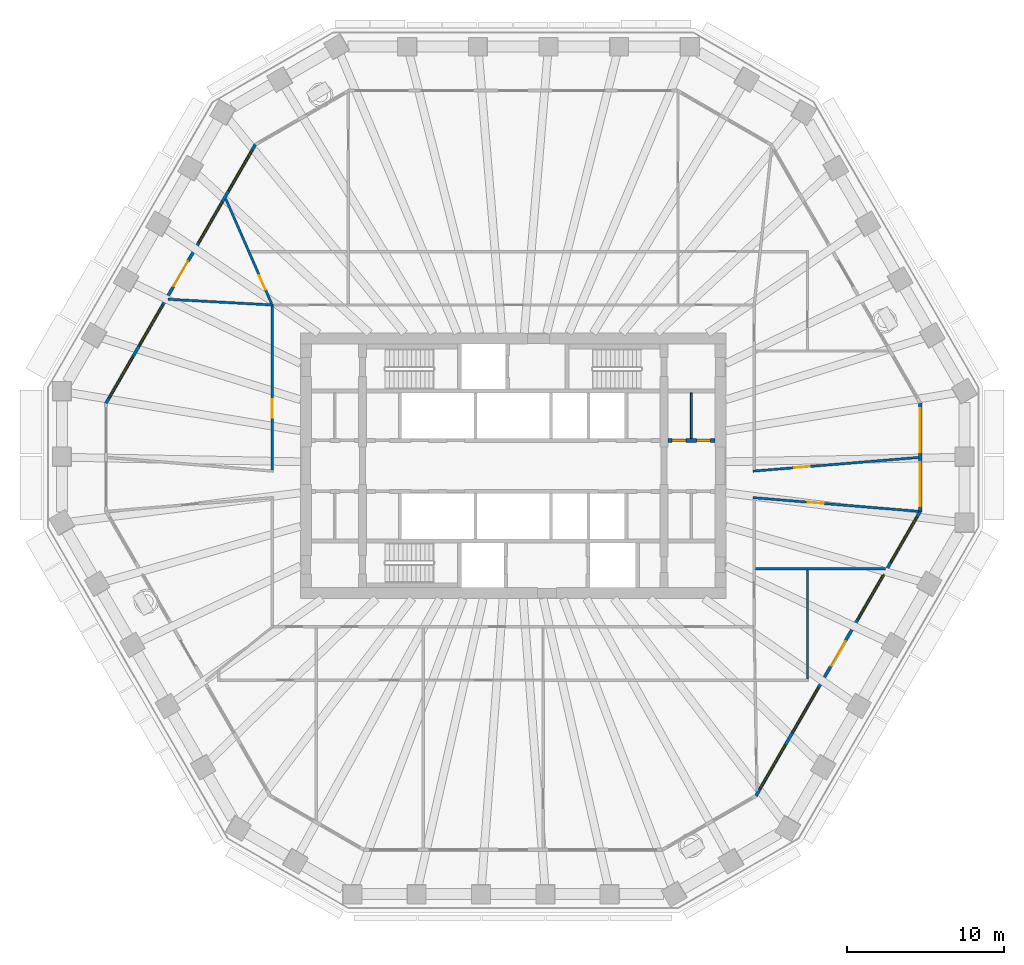
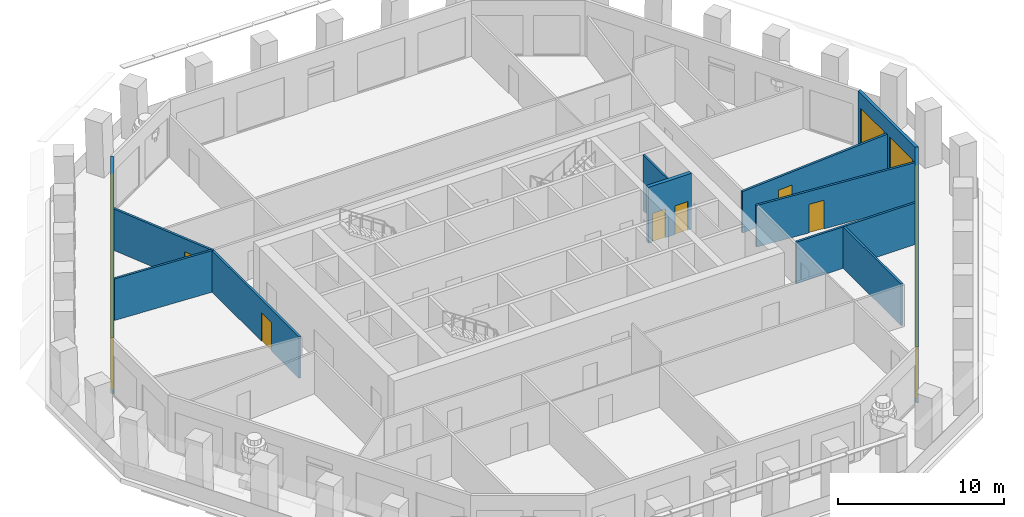
# One storey, part 6 of 12: 12 walls, 12 windows, 8 doors, 20 openings.
"""IFC4 building model written with IfcOpenShell, lengths in metres."""

from ifc_helpers import new_model, si_unit, direction, frame, frame_2d, origin, place, context, subcontext, project, spatial, polyline, rectangle, outline, extrude, material, layer, layer_set, type_object, element, fill, save


model = new_model("IFC4")

# Units and contexts
model_context = context("Model", 3, precision=1e-05, world=origin(), true_north=direction((0.0, 1.0)))
body_context = subcontext(model_context, "Body", "Model", "MODEL_VIEW")
ifc_project = project(units=[si_unit("LENGTHUNIT", "METRE"), si_unit("AREAUNIT", "SQUARE_METRE"), si_unit("VOLUMEUNIT", "CUBIC_METRE"), si_unit("PLANEANGLEUNIT", "RADIAN"), si_unit("MASSUNIT", "GRAM", prefix="KILO")], contexts=[model_context])

# Site, building, storey
site_placement = place(None, origin())
site = spatial("IfcSite", under=ifc_project, at=site_placement, CompositionType="ELEMENT")
building_placement = place(site_placement, origin())
building = spatial("IfcBuilding", under=site, at=building_placement, Name="Frailejon Research Tower", CompositionType="ELEMENT")
storey_placement = place(building_placement, frame((0.0, 0.0, 162.800048828125)))
storey = spatial("IfcBuildingStorey", under=building, at=storey_placement, Name="L35", CompositionType="ELEMENT", Elevation=162.800048828125)

# Wall
ifc_material_1 = material(Name="Plasterboard on steel studs", Category="steel")
ifc_layer_1 = layer(ifc_material_1, 0.125)
ifc_layer_set_1 = layer_set([ifc_layer_1], Name="Core partition 125")
wall_type_1 = type_object("IfcWallType", Name="Core partition 125", PredefinedType="PARTITIONING", material=ifc_layer_set_1)
wall_1_placement = place(storey_placement, frame((11.35009765625, 1.75, 0.0), z_axis=(0.0, 0.0, 1.0), x_axis=(0.0, 1.0, 0.0)))
element("IfcWall", 1, at=wall_1_placement, inside=storey, type_object=wall_type_1, Name="Core partition", PredefinedType="PARTITIONING", context=body_context, shape_type="SweptSolid", body=[
    extrude(rectangle(XDim=2.89990234375, YDim=0.125, at=frame_2d((1.449951171875, 0.0))), origin(), (0.0, 0.0, 1.0), 4.099853515625),
])

# Wall, opening, door
ifc_material_2 = material(Name="Gypsum board and masonry partition", Category="masonry")
ifc_layer_2 = layer(ifc_material_2, 0.14990234375)
ifc_layer_set_2 = layer_set([ifc_layer_2], Name="Corridor wall EI 60, gypsum on steel studs 150")
wall_type_2 = type_object("IfcWallType", Name="Corridor wall EI 60, gypsum on steel studs 150", PredefinedType="PARTITIONING", material=ifc_layer_set_2)
wall_2_placement = place(storey_placement, frame((-15.35009765625, -0.25390625, 0.0), z_axis=(0.0, 0.0, 1.0), x_axis=(0.0, 1.0, 0.0)))
wall_2 = element("IfcWall", 2, at=wall_2_placement, inside=storey, type_object=wall_type_2, Name="T:IW:L35:005", PredefinedType="PARTITIONING", context=body_context, shape_type="SweptSolid", body=[
    extrude(rectangle(XDim=10.428955078125, YDim=0.14990234375, at=frame_2d((5.21435546875, 0.0))), origin(), (0.0, 0.0, 1.0), 3.050048828125),
])
opening_1_placement = place(wall_2_placement, frame((3.3125, 0.0, 0.0)))
opening_1 = element("IfcOpeningElement", 3, at=opening_1_placement, cuts=wall_2, Name="Opening D1767", PredefinedType="OPENING", context=body_context, shape_type="SweptSolid", body=[
    extrude(rectangle(XDim=1.199951171875, YDim=2.10009765625, at=frame_2d((0.60009765625, 1.050048828125))), frame((0.0, 0.0849609375, 0.0), z_axis=(0.0, -1.0, 0.0), x_axis=(1.0, 0.0, 0.0)), (0.0, 0.0, 1.0), 0.169921875),
])
ifc_material_3 = material(Name="Timber door leaf", Category="wood")
door_type_1 = type_object("IfcDoorType", Name="Door laboratory, timber, vision panel 1200", OperationType="NOTDEFINED", PredefinedType="DOOR", material=ifc_material_3)
door_1_placement = place(opening_1_placement, origin())
door_1 = element("IfcDoor", 4, at=door_1_placement, inside=storey, type_object=door_type_1, Name="D1767", OperationType="DOUBLE_DOOR_SINGLE_SWING", OverallHeight=2.10009765625, OverallWidth=1.199951171875, PredefinedType="DOOR", context=body_context, shape_type="SweptSolid", body=[
    extrude(rectangle(XDim=1.199951171875, YDim=2.10009765625, at=frame_2d((0.60009765625, 1.050048828125))), frame((0.0, 0.02490234375, 0.0), z_axis=(0.0, -1.0, 0.0), x_axis=(1.0, 0.0, 0.0)), (0.0, 0.0, 1.0), 0.050048828125),
])
fill(opening_1, door_1)

wall_3_placement = place(storey_placement, frame((15.275390625, -0.335205078125, 0.0), z_axis=(0.0, 0.0, 1.0), x_axis=(0.99660715742, 0.082305369083, 0.0)))
wall_3 = element("IfcWall", 5, at=wall_3_placement, inside=storey, type_object=wall_type_2, Name="T:IW:L35:009", PredefinedType="PARTITIONING", context=body_context, shape_type="SweptSolid", body=[
    extrude(rectangle(XDim=10.592529296875, YDim=0.14990234375, at=frame_2d((5.29638671875, 0.0))), origin(), (0.0, 0.0, 1.0), 3.050048828125),
])
opening_2_placement = place(wall_3_placement, frame((2.62939453125, 0.0, 0.0)))
opening_2 = element("IfcOpeningElement", 6, at=opening_2_placement, cuts=wall_3, Name="Opening D1757", PredefinedType="OPENING", context=body_context, shape_type="SweptSolid", body=[
    extrude(rectangle(XDim=1.0, YDim=2.10009765625, at=frame_2d((0.5, 1.050048828125))), frame((0.0, 0.0849609375, 0.0), z_axis=(0.0, -1.0, 0.0), x_axis=(1.0, 0.0, 0.0)), (0.0, 0.0, 1.0), 0.169921875),
])
ifc_material_4 = material(Name="Timber door leaf", Category="wood")
door_type_2 = type_object("IfcDoorType", Name="Door single leaf, timber, steel frame 1000", OperationType="NOTDEFINED", PredefinedType="DOOR", material=ifc_material_4)
door_2_placement = place(opening_2_placement, origin())
door_2 = element("IfcDoor", 7, at=door_2_placement, inside=storey, type_object=door_type_2, Name="D1757", OperationType="SINGLE_SWING_LEFT", OverallHeight=2.10009765625, OverallWidth=1.0, PredefinedType="DOOR", context=body_context, shape_type="SweptSolid", body=[
    extrude(rectangle(XDim=1.0, YDim=2.10009765625, at=frame_2d((0.5, 1.050048828125))), frame((0.0, 0.02490234375, 0.0), z_axis=(0.0, -1.0, 0.0), x_axis=(1.0, 0.0, 0.0)), (0.0, 0.0, 1.0), 0.050048828125),
])
fill(opening_2, door_2)

wall_4_placement = place(storey_placement, frame((15.275390625, -2.022705078125, 0.0), z_axis=(0.0, 0.0, 1.0), x_axis=(0.996607432826, -0.082302034214, 0.0)))
wall_4 = element("IfcWall", 8, at=wall_4_placement, inside=storey, type_object=wall_type_2, Name="T:IW:L35:010", PredefinedType="PARTITIONING", context=body_context, shape_type="SweptSolid", body=[
    extrude(rectangle(XDim=10.572265625, YDim=0.14990234375, at=frame_2d((5.2861328125, 0.0))), origin(), (0.0, 0.0, 1.0), 3.050048828125),
])
opening_3_placement = place(wall_4_placement, frame((3.504150390625, 0.0, 0.0)))
opening_3 = element("IfcOpeningElement", 9, at=opening_3_placement, cuts=wall_4, Name="Opening D1779", PredefinedType="OPENING", context=body_context, shape_type="SweptSolid", body=[
    extrude(rectangle(XDim=1.0, YDim=2.10009765625, at=frame_2d((0.5, 1.050048828125))), frame((0.0, 0.0849609375, 0.0), z_axis=(0.0, -1.0, 0.0), x_axis=(1.0, 0.0, 0.0)), (0.0, 0.0, 1.0), 0.169921875),
])
ifc_material_5 = material(Name="Timber door leaf", Category="wood")
door_type_3 = type_object("IfcDoorType", Name="Door laboratory, timber, vision panel 1000", OperationType="NOTDEFINED", PredefinedType="DOOR", material=ifc_material_5)
door_3_placement = place(opening_3_placement, origin())
door_3 = element("IfcDoor", 10, at=door_3_placement, inside=storey, type_object=door_type_3, Name="D1779", OperationType="SINGLE_SWING_LEFT", OverallHeight=2.10009765625, OverallWidth=1.0, PredefinedType="DOOR", context=body_context, shape_type="SweptSolid", body=[
    extrude(rectangle(XDim=1.0, YDim=2.10009765625, at=frame_2d((0.5, 1.050048828125))), frame((0.0, 0.02490234375, 0.0), z_axis=(0.0, -1.0, 0.0), x_axis=(1.0, 0.0, 0.0)), (0.0, 0.0, 1.0), 0.050048828125),
])
fill(opening_3, door_3)

# Wall
ifc_material_6 = material(Name="Gypsum board and masonry partition", Category="masonry")
ifc_layer_3 = layer(ifc_material_6, 0.14990234375)
ifc_layer_set_3 = layer_set([ifc_layer_3], Name="Laboratory partition, blockwork 150")
wall_type_3 = type_object("IfcWallType", Name="Laboratory partition, blockwork 150", PredefinedType="PARTITIONING", material=ifc_layer_set_3)
wall_5_placement = place(storey_placement, frame((18.75, -13.574951171875, 0.0), z_axis=(0.0, 0.0, 1.0), x_axis=(0.0, 1.0, 0.0)))
element("IfcWall", 11, at=wall_5_placement, inside=storey, type_object=wall_type_3, Name="T:IW:L35:014", PredefinedType="PARTITIONING", context=body_context, shape_type="SweptSolid", body=[
    extrude(rectangle(XDim=6.953369140625, YDim=0.14990234375, at=frame_2d((3.4765625, 0.0))), origin(), (0.0, 0.0, 1.0), 3.050048828125),
])

# Wall, opening, door
wall_6_placement = place(storey_placement, frame((-18.302978515625, 17.00439453125, 0.0), z_axis=(0.0, 0.0, 1.0), x_axis=(0.400595913262, -0.916254830425, 0.0)))
wall_6 = element("IfcWall", 12, at=wall_6_placement, inside=storey, type_object=wall_type_3, Name="T:IW:L35:019", PredefinedType="PARTITIONING", context=body_context, shape_type="SweptSolid", body=[
    extrude(rectangle(XDim=7.296875, YDim=0.14990234375, at=frame_2d((3.6484375, 0.0))), origin(), (0.0, 0.0, 1.0), 3.050048828125),
])
opening_4_placement = place(wall_6_placement, frame((5.318115234375, 0.0, 0.0)))
opening_4 = element("IfcOpeningElement", 13, at=opening_4_placement, cuts=wall_6, Name="Opening D1766", PredefinedType="OPENING", context=body_context, shape_type="SweptSolid", body=[
    extrude(rectangle(XDim=1.0, YDim=2.10009765625, at=frame_2d((0.5, 1.050048828125))), frame((0.0, 0.0849609375, 0.0), z_axis=(0.0, -1.0, 0.0), x_axis=(1.0, 0.0, 0.0)), (0.0, 0.0, 1.0), 0.169921875),
])
door_4_placement = place(opening_4_placement, origin())
door_4 = element("IfcDoor", 14, at=door_4_placement, inside=storey, type_object=door_type_3, Name="D1766", OperationType="SINGLE_SWING_RIGHT", OverallHeight=2.10009765625, OverallWidth=1.0, PredefinedType="DOOR", context=body_context, shape_type="SweptSolid", body=[
    extrude(rectangle(XDim=1.0, YDim=2.10009765625, at=frame_2d((0.5, 1.050048828125))), frame((0.0, 0.02490234375, 0.0), z_axis=(0.0, -1.0, 0.0), x_axis=(1.0, 0.0, 0.0)), (0.0, 0.0, 1.0), 0.050048828125),
])
fill(opening_4, door_4)

# Walls
wall_7_placement = place(storey_placement, frame((-21.993408203125, 10.612548828125, 0.0), z_axis=(0.0, 0.0, 1.0), x_axis=(0.998513698016, -0.054501329109, 0.0)))
element("IfcWall", 15, at=wall_7_placement, inside=storey, type_object=wall_type_3, Name="T:IW:L35:020", PredefinedType="PARTITIONING", context=body_context, shape_type="SweptSolid", body=[
    extrude(rectangle(XDim=6.728271484375, YDim=0.14990234375, at=frame_2d((3.3642578125, 0.0))), origin(), (0.0, 0.0, 1.0), 3.050048828125),
])
wall_8_placement = place(storey_placement, frame((15.425048828125, -6.546630859375, 0.0), z_axis=(0.0, 0.0, 1.0), x_axis=(1.0, 0.0, 0.0)))
element("IfcWall", 16, at=wall_8_placement, inside=storey, type_object=wall_type_3, Name="T:IW:L35:029", PredefinedType="PARTITIONING", context=body_context, shape_type="SweptSolid", body=[
    extrude(rectangle(XDim=8.277099609375, YDim=0.14990234375, at=frame_2d((4.138671875, 0.0))), origin(), (0.0, 0.0, 1.0), 3.050048828125),
])

# Wall, openings, doors
ifc_material_7 = material(Name="Concrete C60/75", Category="concrete")
ifc_layer_4 = layer(ifc_material_7, 0.25)
ifc_layer_set_4 = layer_set([ifc_layer_4], Name="Shaft wall 250 C60/75")
wall_type_4 = type_object("IfcWallType", Name="Shaft wall 250 C60/75", PredefinedType="SOLIDWALL", material=ifc_layer_set_4)
wall_9_placement = place(storey_placement, frame((9.85009765625, 1.625, 0.0), z_axis=(0.0, 0.0, 1.0), x_axis=(1.0, 0.0, 0.0)))
wall_9 = element("IfcWall", 17, at=wall_9_placement, inside=storey, type_object=wall_type_4, Name="Shaft wall", PredefinedType="SOLIDWALL", context=body_context, shape_type="SweptSolid", body=[
    extrude(rectangle(XDim=3.0, YDim=0.25, at=frame_2d((1.5, 0.0))), origin(), (0.0, 0.0, 1.0), 4.099853515625),
])
opening_5_placement = place(wall_9_placement, frame((0.268798828125, 0.0, 0.0)))
opening_5 = element("IfcOpeningElement", 18, at=opening_5_placement, cuts=wall_9, Name="Opening D8", PredefinedType="OPENING", context=body_context, shape_type="SweptSolid", body=[
    extrude(rectangle(XDim=0.89990234375, YDim=2.10009765625, at=frame_2d((0.449951171875, 1.050048828125))), frame((0.0, 0.135009765625, 0.0), z_axis=(0.0, -1.0, 0.0), x_axis=(1.0, 0.0, 0.0)), (0.0, 0.0, 1.0), 0.27001953125),
])
opening_6_placement = place(wall_9_placement, frame((1.831298828125, 0.0, 0.0)))
opening_6 = element("IfcOpeningElement", 19, at=opening_6_placement, cuts=wall_9, Name="Opening D8", PredefinedType="OPENING", context=body_context, shape_type="SweptSolid", body=[
    extrude(rectangle(XDim=0.89990234375, YDim=2.10009765625, at=frame_2d((0.449951171875, 1.050048828125))), frame((0.0, 0.135009765625, 0.0), z_axis=(0.0, -1.0, 0.0), x_axis=(1.0, 0.0, 0.0)), (0.0, 0.0, 1.0), 0.27001953125),
])
ifc_material_8 = material(Name="Steel", Category="steel")
door_type_4 = type_object("IfcDoorType", Name="Core room door", OperationType="SINGLE_SWING_LEFT", PredefinedType="DOOR", material=ifc_material_8)
door_5_placement = place(opening_5_placement, origin())
door_5 = element("IfcDoor", 20, at=door_5_placement, inside=storey, type_object=door_type_4, Name="Room door", OperationType="SINGLE_SWING_LEFT", OverallHeight=2.10009765625, OverallWidth=0.89990234375, PredefinedType="DOOR", context=body_context, shape_type="SweptSolid", body=[
    extrude(rectangle(XDim=0.89990234375, YDim=2.10009765625, at=frame_2d((0.449951171875, 1.050048828125))), frame((0.0, 0.074951171875, 0.0), z_axis=(0.0, -1.0, 0.0), x_axis=(1.0, 0.0, 0.0)), (0.0, 0.0, 1.0), 0.14990234375),
])
fill(opening_5, door_5)
door_6_placement = place(opening_6_placement, origin())
door_6 = element("IfcDoor", 21, at=door_6_placement, inside=storey, type_object=door_type_4, Name="Room door", OperationType="SINGLE_SWING_RIGHT", OverallHeight=2.10009765625, OverallWidth=0.89990234375, PredefinedType="DOOR", context=body_context, shape_type="SweptSolid", body=[
    extrude(rectangle(XDim=0.89990234375, YDim=2.10009765625, at=frame_2d((0.449951171875, 1.050048828125))), frame((0.0, 0.074951171875, 0.0), z_axis=(0.0, -1.0, 0.0), x_axis=(1.0, 0.0, 0.0)), (0.0, 0.0, 1.0), 0.14990234375),
])
fill(opening_6, door_6)

# Wall, openings, windows
ifc_material_9 = material(Name="Concrete C40/50 precast window wall panel", Category="concrete")
ifc_layer_5 = layer(ifc_material_9, 0.199951171875)
ifc_layer_set_5 = layer_set([ifc_layer_5], Name="Window wall 200")
wall_type_5 = type_object("IfcWallType", Name="Window wall 200", PredefinedType="SOLIDWALL", material=ifc_layer_set_5)
wall_10_placement = place(storey_placement, frame((25.93212890625, -2.88427734375, 0.0), z_axis=(0.0, 0.0, 1.0), x_axis=(0.0, 1.0, 0.0)))
wall_10 = element("IfcWall", 22, at=wall_10_placement, inside=storey, type_object=wall_type_5, Name="Exterior wall L35", PredefinedType="SOLIDWALL", context=body_context, shape_type="SweptSolid", body=[
    extrude(outline(polyline([(-0.02685546875, -0.10009765625), (1.1279296875, -0.10009765625), (2.28271484375, -0.10009765625), (3.4375, -0.10009765625), (4.592041015625, -0.10009765625), (5.746826171875, -0.10009765625), (6.901611328125, -0.10009765625), (6.847900390625, 0.10009765625), (5.7109375, 0.10009765625), (4.57421875, 0.10009765625), (3.4375, 0.10009765625), (2.300537109375, 0.10009765625), (1.16357421875, 0.10009765625), (0.02685546875, 0.10009765625), (-0.02685546875, -0.10009765625)])), origin(), (0.0, 0.0, 1.0), 4.099853515625),
])
opening_7_placement = place(wall_10_placement, frame((0.318603515625, 0.0, 0.10009765625)))
opening_7 = element("IfcOpeningElement", 23, at=opening_7_placement, cuts=wall_10, Name="Opening W3", PredefinedType="OPENING", context=body_context, shape_type="SweptSolid", body=[
    extrude(rectangle(XDim=2.800048828125, YDim=2.89990234375, at=frame_2d((1.39990234375, 1.449951171875))), frame((0.0, 0.10986328125, 0.0), z_axis=(0.0, -1.0, 0.0), x_axis=(1.0, 0.0, 0.0)), (0.0, 0.0, 1.0), 0.219970703125),
])
opening_8_placement = place(wall_10_placement, frame((3.756103515625, 0.0, 0.10009765625)))
opening_8 = element("IfcOpeningElement", 24, at=opening_8_placement, cuts=wall_10, Name="Opening W3", PredefinedType="OPENING", context=body_context, shape_type="SweptSolid", body=[
    extrude(rectangle(XDim=2.800048828125, YDim=2.89990234375, at=frame_2d((1.39990234375, 1.449951171875))), frame((0.0, 0.10986328125, 0.0), z_axis=(0.0, -1.0, 0.0), x_axis=(1.0, 0.0, 0.0)), (0.0, 0.0, 1.0), 0.219970703125),
])
ifc_material_10 = material(Name="Aluminium framed double glazing", Category="aluminium")
window_type_1 = type_object("IfcWindowType", Name="Window 2800x2900", PartitioningType="SINGLE_PANEL", PredefinedType="WINDOW", material=ifc_material_10)
window_1_placement = place(opening_7_placement, origin())
window_1 = element("IfcWindow", 25, at=window_1_placement, inside=storey, type_object=window_type_1, Name="Window L35", OverallHeight=2.89990234375, OverallWidth=2.800048828125, PartitioningType="SINGLE_PANEL", PredefinedType="WINDOW", context=body_context, shape_type="SweptSolid", body=[
    extrude(rectangle(XDim=2.800048828125, YDim=2.89990234375, at=frame_2d((1.39990234375, 1.449951171875))), frame((0.0, 0.030029296875, 0.0), z_axis=(0.0, -1.0, 0.0), x_axis=(1.0, 0.0, 0.0)), (0.0, 0.0, 1.0), 0.06005859375),
])
fill(opening_7, window_1)
window_2_placement = place(opening_8_placement, origin())
window_2 = element("IfcWindow", 26, at=window_2_placement, inside=storey, type_object=window_type_1, Name="Window L35", OverallHeight=2.89990234375, OverallWidth=2.800048828125, PartitioningType="SINGLE_PANEL", PredefinedType="WINDOW", context=body_context, shape_type="SweptSolid", body=[
    extrude(rectangle(XDim=2.800048828125, YDim=2.89990234375, at=frame_2d((1.39990234375, 1.449951171875))), frame((0.0, 0.030029296875, 0.0), z_axis=(0.0, -1.0, 0.0), x_axis=(1.0, 0.0, 0.0)), (0.0, 0.0, 1.0), 0.06005859375),
])
fill(opening_8, window_2)

# Wall, openings, door, windows
wall_11_placement = place(storey_placement, frame((-16.421875, 20.462646484375, 0.0), z_axis=(0.0, 0.0, 1.0), x_axis=(-0.500001707189, -0.866024418136, 0.0)))
wall_11 = element("IfcWall", 27, at=wall_11_placement, inside=storey, type_object=wall_type_5, Name="Exterior wall L35", PredefinedType="SOLIDWALL", context=body_context, shape_type="SweptSolid", body=[
    extrude(outline(polyline([(-0.02685546875, -0.10009765625), (0.97705078125, -0.10009765625), (1.98095703125, -0.10009765625), (2.98486328125, -0.10009765625), (3.98876953125, -0.10009765625), (4.99267578125, -0.10009765625), (5.99658203125, -0.10009765625), (7.00048828125, -0.10009765625), (8.00439453125, -0.10009765625), (9.00830078125, -0.10009765625), (10.01220703125, -0.10009765625), (11.01611328125, -0.10009765625), (12.02001953125, -0.10009765625), (13.02392578125, -0.10009765625), (14.02783203125, -0.10009765625), (15.03173828125, -0.10009765625), (16.03564453125, -0.10009765625), (17.03955078125, -0.10009765625), (18.04345703125, -0.10009765625), (19.04736328125, -0.10009765625), (18.99365234375, 0.10009765625), (17.995361328125, 0.10009765625), (16.9970703125, 0.10009765625), (15.998779296875, 0.10009765625), (15.000732421875, 0.10009765625), (14.00244140625, 0.10009765625), (13.004150390625, 0.10009765625), (12.005859375, 0.10009765625), (11.007568359375, 0.10009765625), (10.00927734375, 0.10009765625), (9.01123046875, 0.10009765625), (8.012939453125, 0.10009765625), (7.0146484375, 0.10009765625), (6.016357421875, 0.10009765625), (5.01806640625, 0.10009765625), (4.019775390625, 0.10009765625), (3.021728515625, 0.10009765625), (2.0234375, 0.10009765625), (1.025146484375, 0.10009765625), (0.02685546875, 0.10009765625), (-0.02685546875, -0.10009765625)])), origin(), (0.0, 0.0, 1.0), 4.099853515625),
])
opening_9_placement = place(wall_11_placement, frame((0.402099609375, 0.0, 0.10009765625)))
opening_9 = element("IfcOpeningElement", 28, at=opening_9_placement, cuts=wall_11, Name="Opening W4", PredefinedType="OPENING", context=body_context, shape_type="SweptSolid", body=[
    extrude(rectangle(XDim=3.0, YDim=2.89990234375, at=frame_2d((1.5, 1.449951171875))), frame((0.0, 0.10986328125, 0.0), z_axis=(0.0, -1.0, 0.0), x_axis=(1.0, 0.0, 0.0)), (0.0, 0.0, 1.0), 0.219970703125),
])
opening_10_placement = place(wall_11_placement, frame((4.206298828125, 0.0, 0.10009765625)))
opening_10 = element("IfcOpeningElement", 29, at=opening_10_placement, cuts=wall_11, Name="Opening W4", PredefinedType="OPENING", context=body_context, shape_type="SweptSolid", body=[
    extrude(rectangle(XDim=3.0, YDim=2.89990234375, at=frame_2d((1.5, 1.449951171875))), frame((0.0, 0.10986328125, 0.0), z_axis=(0.0, -1.0, 0.0), x_axis=(1.0, 0.0, 0.0)), (0.0, 0.0, 1.0), 0.219970703125),
])
opening_11_placement = place(wall_11_placement, frame((8.6103515625, 0.0, 0.0)))
opening_11 = element("IfcOpeningElement", 30, at=opening_11_placement, cuts=wall_11, Name="Opening LG35-3", PredefinedType="OPENING", context=body_context, shape_type="SweptSolid", body=[
    extrude(rectangle(XDim=1.800048828125, YDim=2.39990234375, at=frame_2d((0.89990234375, 1.199951171875))), frame((0.0, 0.10986328125, 0.0), z_axis=(0.0, -1.0, 0.0), x_axis=(1.0, 0.0, 0.0)), (0.0, 0.0, 1.0), 0.219970703125),
])
opening_12_placement = place(wall_11_placement, frame((8.6103515625, 0.0, 2.550048828125)))
opening_12 = element("IfcOpeningElement", 31, at=opening_12_placement, cuts=wall_11, Name="Opening W1", PredefinedType="OPENING", context=body_context, shape_type="SweptSolid", body=[
    extrude(rectangle(XDim=1.800048828125, YDim=0.449951171875, at=frame_2d((0.89990234375, 0.22509765625))), frame((0.0, 0.10986328125, 0.0), z_axis=(0.0, -1.0, 0.0), x_axis=(1.0, 0.0, 0.0)), (0.0, 0.0, 1.0), 0.219970703125),
])
opening_13_placement = place(wall_11_placement, frame((11.814453125, 0.0, 0.10009765625)))
opening_13 = element("IfcOpeningElement", 32, at=opening_13_placement, cuts=wall_11, Name="Opening W4", PredefinedType="OPENING", context=body_context, shape_type="SweptSolid", body=[
    extrude(rectangle(XDim=3.0, YDim=2.89990234375, at=frame_2d((1.5, 1.449951171875))), frame((0.0, 0.10986328125, 0.0), z_axis=(0.0, -1.0, 0.0), x_axis=(1.0, 0.0, 0.0)), (0.0, 0.0, 1.0), 0.219970703125),
])
opening_14_placement = place(wall_11_placement, frame((15.618408203125, 0.0, 0.10009765625)))
opening_14 = element("IfcOpeningElement", 33, at=opening_14_placement, cuts=wall_11, Name="Opening W4", PredefinedType="OPENING", context=body_context, shape_type="SweptSolid", body=[
    extrude(rectangle(XDim=3.0, YDim=2.89990234375, at=frame_2d((1.5, 1.449951171875))), frame((0.0, 0.10986328125, 0.0), z_axis=(0.0, -1.0, 0.0), x_axis=(1.0, 0.0, 0.0)), (0.0, 0.0, 1.0), 0.219970703125),
])
ifc_material_11 = material(Name="Aluminium framed glazed door leaf", Category="aluminium")
door_type_5 = type_object("IfcDoorType", Name="Loggia door 1800x2400", OperationType="DOUBLE_DOOR_SINGLE_SWING", PredefinedType="DOOR", material=ifc_material_11)
door_7_placement = place(opening_11_placement, origin())
door_7 = element("IfcDoor", 34, at=door_7_placement, inside=storey, type_object=door_type_5, Name="Door LG35-3", OperationType="DOUBLE_DOOR_SINGLE_SWING", OverallHeight=2.39990234375, OverallWidth=1.800048828125, PredefinedType="DOOR", context=body_context, shape_type="SweptSolid", body=[
    extrude(rectangle(XDim=1.800048828125, YDim=2.39990234375, at=frame_2d((0.89990234375, 1.199951171875))), frame((0.0, 0.02490234375, 0.0), z_axis=(0.0, -1.0, 0.0), x_axis=(1.0, 0.0, 0.0)), (0.0, 0.0, 1.0), 0.050048828125),
])
fill(opening_11, door_7)
ifc_material_12 = material(Name="Aluminium framed double glazing", Category="aluminium")
window_type_2 = type_object("IfcWindowType", Name="Window 1800x450", PartitioningType="SINGLE_PANEL", PredefinedType="WINDOW", material=ifc_material_12)
window_3_placement = place(opening_12_placement, origin())
window_3 = element("IfcWindow", 35, at=window_3_placement, inside=storey, type_object=window_type_2, Name="Window L35", OverallHeight=0.449951171875, OverallWidth=1.800048828125, PartitioningType="SINGLE_PANEL", PredefinedType="WINDOW", context=body_context, shape_type="SweptSolid", body=[
    extrude(rectangle(XDim=1.800048828125, YDim=0.449951171875, at=frame_2d((0.89990234375, 0.22509765625))), frame((0.0, 0.030029296875, 0.0), z_axis=(0.0, -1.0, 0.0), x_axis=(1.0, 0.0, 0.0)), (0.0, 0.0, 1.0), 0.06005859375),
])
fill(opening_12, window_3)
ifc_material_13 = material(Name="Aluminium framed double glazing", Category="aluminium")
window_type_3 = type_object("IfcWindowType", Name="Window 3000x2900", PartitioningType="SINGLE_PANEL", PredefinedType="WINDOW", material=ifc_material_13)
window_4_placement = place(opening_9_placement, origin())
window_4 = element("IfcWindow", 36, at=window_4_placement, inside=storey, type_object=window_type_3, Name="Window L35", OverallHeight=2.89990234375, OverallWidth=3.0, PartitioningType="SINGLE_PANEL", PredefinedType="WINDOW", context=body_context, shape_type="SweptSolid", body=[
    extrude(rectangle(XDim=3.0, YDim=2.89990234375, at=frame_2d((1.5, 1.449951171875))), frame((0.0, 0.030029296875, 0.0), z_axis=(0.0, -1.0, 0.0), x_axis=(1.0, 0.0, 0.0)), (0.0, 0.0, 1.0), 0.06005859375),
])
fill(opening_9, window_4)
window_5_placement = place(opening_10_placement, origin())
window_5 = element("IfcWindow", 37, at=window_5_placement, inside=storey, type_object=window_type_3, Name="Window L35", OverallHeight=2.89990234375, OverallWidth=3.0, PartitioningType="SINGLE_PANEL", PredefinedType="WINDOW", context=body_context, shape_type="SweptSolid", body=[
    extrude(rectangle(XDim=3.0, YDim=2.89990234375, at=frame_2d((1.5, 1.449951171875))), frame((0.0, 0.030029296875, 0.0), z_axis=(0.0, -1.0, 0.0), x_axis=(1.0, 0.0, 0.0)), (0.0, 0.0, 1.0), 0.06005859375),
])
fill(opening_10, window_5)
window_6_placement = place(opening_13_placement, origin())
window_6 = element("IfcWindow", 38, at=window_6_placement, inside=storey, type_object=window_type_3, Name="Window L35", OverallHeight=2.89990234375, OverallWidth=3.0, PartitioningType="SINGLE_PANEL", PredefinedType="WINDOW", context=body_context, shape_type="SweptSolid", body=[
    extrude(rectangle(XDim=3.0, YDim=2.89990234375, at=frame_2d((1.5, 1.449951171875))), frame((0.0, 0.030029296875, 0.0), z_axis=(0.0, -1.0, 0.0), x_axis=(1.0, 0.0, 0.0)), (0.0, 0.0, 1.0), 0.06005859375),
])
fill(opening_13, window_6)
window_7_placement = place(opening_14_placement, origin())
window_7 = element("IfcWindow", 39, at=window_7_placement, inside=storey, type_object=window_type_3, Name="Window L35", OverallHeight=2.89990234375, OverallWidth=3.0, PartitioningType="SINGLE_PANEL", PredefinedType="WINDOW", context=body_context, shape_type="SweptSolid", body=[
    extrude(rectangle(XDim=3.0, YDim=2.89990234375, at=frame_2d((1.5, 1.449951171875))), frame((0.0, 0.030029296875, 0.0), z_axis=(0.0, -1.0, 0.0), x_axis=(1.0, 0.0, 0.0)), (0.0, 0.0, 1.0), 0.06005859375),
])
fill(opening_14, window_7)

wall_12_placement = place(storey_placement, frame((15.4638671875, -21.015869140625, 0.0), z_axis=(0.0, 0.0, 1.0), x_axis=(0.499999366442, 0.866025769569, 0.0)))
wall_12 = element("IfcWall", 40, at=wall_12_placement, inside=storey, type_object=wall_type_5, Name="Exterior wall L35", PredefinedType="SOLIDWALL", context=body_context, shape_type="SweptSolid", body=[
    extrude(outline(polyline([(-0.02685546875, -0.10009765625), (1.022705078125, -0.10009765625), (2.072265625, -0.10009765625), (3.12158203125, -0.10009765625), (4.171142578125, -0.10009765625), (5.220703125, -0.10009765625), (6.270263671875, -0.10009765625), (7.31982421875, -0.10009765625), (8.369140625, -0.10009765625), (9.418701171875, -0.10009765625), (10.46826171875, -0.10009765625), (11.517822265625, -0.10009765625), (12.5673828125, -0.10009765625), (13.61669921875, -0.10009765625), (14.666259765625, -0.10009765625), (15.7158203125, -0.10009765625), (16.765380859375, -0.10009765625), (17.81494140625, -0.10009765625), (18.8642578125, -0.10009765625), (19.913818359375, -0.10009765625), (20.96337890625, -0.10009765625), (20.90966796875, 0.10009765625), (19.865478515625, 0.10009765625), (18.8212890625, 0.10009765625), (17.77734375, 0.10009765625), (16.733154296875, 0.10009765625), (15.68896484375, 0.10009765625), (14.644775390625, 0.10009765625), (13.6005859375, 0.10009765625), (12.556640625, 0.10009765625), (11.512451171875, 0.10009765625), (10.46826171875, 0.10009765625), (9.424072265625, 0.10009765625), (8.3798828125, 0.10009765625), (7.3359375, 0.10009765625), (6.291748046875, 0.10009765625), (5.24755859375, 0.10009765625), (4.203369140625, 0.10009765625), (3.1591796875, 0.10009765625), (2.115234375, 0.10009765625), (1.071044921875, 0.10009765625), (0.02685546875, 0.10009765625), (-0.02685546875, -0.10009765625)])), origin(), (0.0, 0.0, 1.0), 4.099853515625),
])
opening_15_placement = place(wall_12_placement, frame((0.443603515625, 0.0, 0.10009765625)))
opening_15 = element("IfcOpeningElement", 41, at=opening_15_placement, cuts=wall_12, Name="Opening W5", PredefinedType="OPENING", context=body_context, shape_type="SweptSolid", body=[
    extrude(rectangle(XDim=3.300048828125, YDim=2.89990234375, at=frame_2d((1.64990234375, 1.449951171875))), frame((0.0, 0.10986328125, 0.0), z_axis=(0.0, -1.0, 0.0), x_axis=(1.0, 0.0, 0.0)), (0.0, 0.0, 1.0), 0.219970703125),
])
opening_16_placement = place(wall_12_placement, frame((4.631103515625, 0.0, 0.10009765625)))
opening_16 = element("IfcOpeningElement", 42, at=opening_16_placement, cuts=wall_12, Name="Opening W5", PredefinedType="OPENING", context=body_context, shape_type="SweptSolid", body=[
    extrude(rectangle(XDim=3.300048828125, YDim=2.89990234375, at=frame_2d((1.64990234375, 1.449951171875))), frame((0.0, 0.10986328125, 0.0), z_axis=(0.0, -1.0, 0.0), x_axis=(1.0, 0.0, 0.0)), (0.0, 0.0, 1.0), 0.219970703125),
])
opening_17_placement = place(wall_12_placement, frame((9.568359375, 0.0, 0.0)))
opening_17 = element("IfcOpeningElement", 43, at=opening_17_placement, cuts=wall_12, Name="Opening LG35-6", PredefinedType="OPENING", context=body_context, shape_type="SweptSolid", body=[
    extrude(rectangle(XDim=1.800048828125, YDim=2.39990234375, at=frame_2d((0.89990234375, 1.199951171875))), frame((0.0, 0.10986328125, 0.0), z_axis=(0.0, -1.0, 0.0), x_axis=(1.0, 0.0, 0.0)), (0.0, 0.0, 1.0), 0.219970703125),
])
opening_18_placement = place(wall_12_placement, frame((9.568359375, 0.0, 2.550048828125)))
opening_18 = element("IfcOpeningElement", 44, at=opening_18_placement, cuts=wall_12, Name="Opening W1", PredefinedType="OPENING", context=body_context, shape_type="SweptSolid", body=[
    extrude(rectangle(XDim=1.800048828125, YDim=0.449951171875, at=frame_2d((0.89990234375, 0.22509765625))), frame((0.0, 0.10986328125, 0.0), z_axis=(0.0, -1.0, 0.0), x_axis=(1.0, 0.0, 0.0)), (0.0, 0.0, 1.0), 0.219970703125),
])
opening_19_placement = place(wall_12_placement, frame((13.005615234375, 0.0, 0.10009765625)))
opening_19 = element("IfcOpeningElement", 45, at=opening_19_placement, cuts=wall_12, Name="Opening W5", PredefinedType="OPENING", context=body_context, shape_type="SweptSolid", body=[
    extrude(rectangle(XDim=3.300048828125, YDim=2.89990234375, at=frame_2d((1.64990234375, 1.449951171875))), frame((0.0, 0.10986328125, 0.0), z_axis=(0.0, -1.0, 0.0), x_axis=(1.0, 0.0, 0.0)), (0.0, 0.0, 1.0), 0.219970703125),
])
opening_20_placement = place(wall_12_placement, frame((17.19287109375, 0.0, 0.10009765625)))
opening_20 = element("IfcOpeningElement", 46, at=opening_20_placement, cuts=wall_12, Name="Opening W5", PredefinedType="OPENING", context=body_context, shape_type="SweptSolid", body=[
    extrude(rectangle(XDim=3.300048828125, YDim=2.89990234375, at=frame_2d((1.64990234375, 1.449951171875))), frame((0.0, 0.10986328125, 0.0), z_axis=(0.0, -1.0, 0.0), x_axis=(1.0, 0.0, 0.0)), (0.0, 0.0, 1.0), 0.219970703125),
])
door_8_placement = place(opening_17_placement, origin())
door_8 = element("IfcDoor", 47, at=door_8_placement, inside=storey, type_object=door_type_5, Name="Door LG35-6", OperationType="DOUBLE_DOOR_SINGLE_SWING", OverallHeight=2.39990234375, OverallWidth=1.800048828125, PredefinedType="DOOR", context=body_context, shape_type="SweptSolid", body=[
    extrude(rectangle(XDim=1.800048828125, YDim=2.39990234375, at=frame_2d((0.89990234375, 1.199951171875))), frame((0.0, 0.02490234375, 0.0), z_axis=(0.0, -1.0, 0.0), x_axis=(1.0, 0.0, 0.0)), (0.0, 0.0, 1.0), 0.050048828125),
])
fill(opening_17, door_8)
window_8_placement = place(opening_18_placement, origin())
window_8 = element("IfcWindow", 48, at=window_8_placement, inside=storey, type_object=window_type_2, Name="Window L35", OverallHeight=0.449951171875, OverallWidth=1.800048828125, PartitioningType="SINGLE_PANEL", PredefinedType="WINDOW", context=body_context, shape_type="SweptSolid", body=[
    extrude(rectangle(XDim=1.800048828125, YDim=0.449951171875, at=frame_2d((0.89990234375, 0.22509765625))), frame((0.0, 0.030029296875, 0.0), z_axis=(0.0, -1.0, 0.0), x_axis=(1.0, 0.0, 0.0)), (0.0, 0.0, 1.0), 0.06005859375),
])
fill(opening_18, window_8)
ifc_material_14 = material(Name="Aluminium framed double glazing", Category="aluminium")
window_type_4 = type_object("IfcWindowType", Name="Window 3300x2900", PartitioningType="SINGLE_PANEL", PredefinedType="WINDOW", material=ifc_material_14)
window_9_placement = place(opening_15_placement, origin())
window_9 = element("IfcWindow", 49, at=window_9_placement, inside=storey, type_object=window_type_4, Name="Window L35", OverallHeight=2.89990234375, OverallWidth=3.300048828125, PartitioningType="SINGLE_PANEL", PredefinedType="WINDOW", context=body_context, shape_type="SweptSolid", body=[
    extrude(rectangle(XDim=3.300048828125, YDim=2.89990234375, at=frame_2d((1.64990234375, 1.449951171875))), frame((0.0, 0.030029296875, 0.0), z_axis=(0.0, -1.0, 0.0), x_axis=(1.0, 0.0, 0.0)), (0.0, 0.0, 1.0), 0.06005859375),
])
fill(opening_15, window_9)
window_10_placement = place(opening_16_placement, origin())
window_10 = element("IfcWindow", 50, at=window_10_placement, inside=storey, type_object=window_type_4, Name="Window L35", OverallHeight=2.89990234375, OverallWidth=3.300048828125, PartitioningType="SINGLE_PANEL", PredefinedType="WINDOW", context=body_context, shape_type="SweptSolid", body=[
    extrude(rectangle(XDim=3.300048828125, YDim=2.89990234375, at=frame_2d((1.64990234375, 1.449951171875))), frame((0.0, 0.030029296875, 0.0), z_axis=(0.0, -1.0, 0.0), x_axis=(1.0, 0.0, 0.0)), (0.0, 0.0, 1.0), 0.06005859375),
])
fill(opening_16, window_10)
window_11_placement = place(opening_19_placement, origin())
window_11 = element("IfcWindow", 51, at=window_11_placement, inside=storey, type_object=window_type_4, Name="Window L35", OverallHeight=2.89990234375, OverallWidth=3.300048828125, PartitioningType="SINGLE_PANEL", PredefinedType="WINDOW", context=body_context, shape_type="SweptSolid", body=[
    extrude(rectangle(XDim=3.300048828125, YDim=2.89990234375, at=frame_2d((1.64990234375, 1.449951171875))), frame((0.0, 0.030029296875, 0.0), z_axis=(0.0, -1.0, 0.0), x_axis=(1.0, 0.0, 0.0)), (0.0, 0.0, 1.0), 0.06005859375),
])
fill(opening_19, window_11)
window_12_placement = place(opening_20_placement, origin())
window_12 = element("IfcWindow", 52, at=window_12_placement, inside=storey, type_object=window_type_4, Name="Window L35", OverallHeight=2.89990234375, OverallWidth=3.300048828125, PartitioningType="SINGLE_PANEL", PredefinedType="WINDOW", context=body_context, shape_type="SweptSolid", body=[
    extrude(rectangle(XDim=3.300048828125, YDim=2.89990234375, at=frame_2d((1.64990234375, 1.449951171875))), frame((0.0, 0.030029296875, 0.0), z_axis=(0.0, -1.0, 0.0), x_axis=(1.0, 0.0, 0.0)), (0.0, 0.0, 1.0), 0.06005859375),
])
fill(opening_20, window_12)

save(model, "model.ifc")
